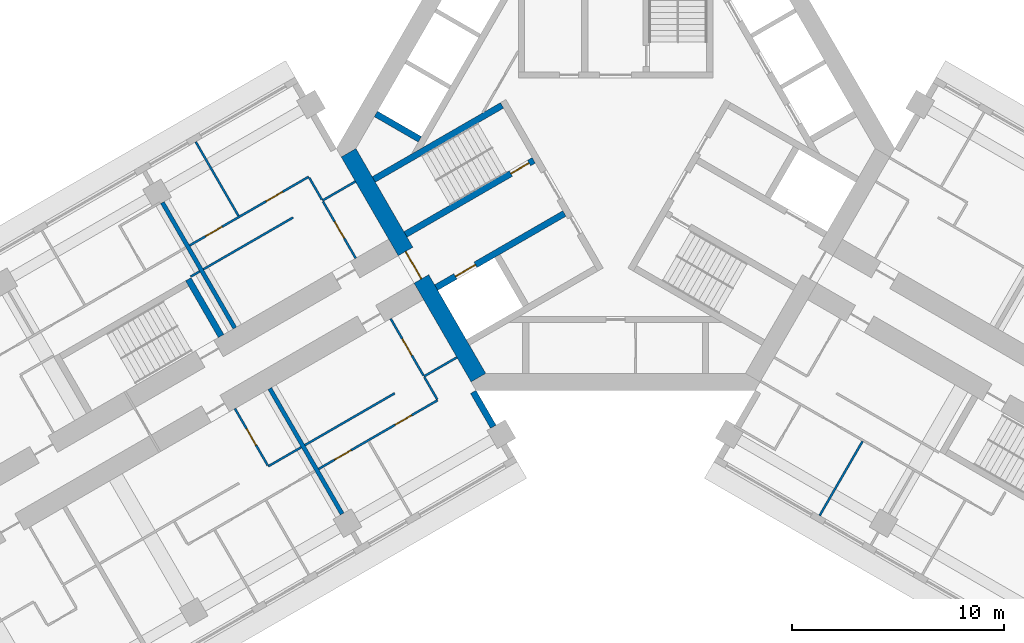
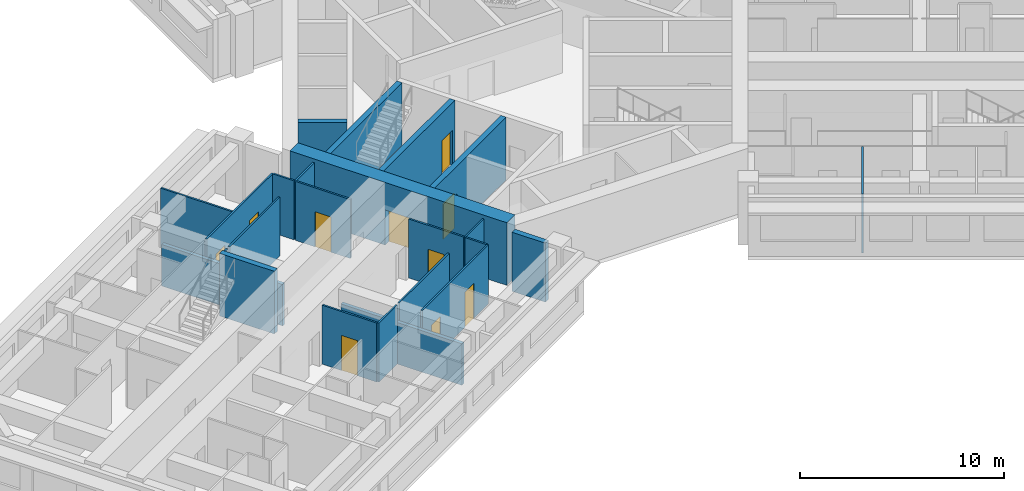
# One storey, part 4 of 14: 24 walls, 10 doors, 10 openings.
"""IFC4 building model written with IfcOpenShell, lengths in metres."""

from ifc_helpers import new_model, si_unit, direction, frame, frame_2d, origin, place, context, subcontext, project, spatial, rectangle, extrude, material, layer, layer_set, type_object, element, fill, save


model = new_model("IFC4")

# Units and contexts
model_context = context("Model", 3, precision=1e-05, world=origin(), true_north=direction((0.0, 1.0)))
body_context = subcontext(model_context, "Body", "Model", "MODEL_VIEW")
ifc_project = project(units=[si_unit("LENGTHUNIT", "METRE"), si_unit("AREAUNIT", "SQUARE_METRE"), si_unit("VOLUMEUNIT", "CUBIC_METRE"), si_unit("PLANEANGLEUNIT", "RADIAN"), si_unit("MASSUNIT", "GRAM", prefix="KILO")], contexts=[model_context])

# Site, building, storey
site_placement = place(None, origin())
site = spatial("IfcSite", under=ifc_project, at=site_placement, CompositionType="ELEMENT")
building_placement = place(site_placement, origin())
building = spatial("IfcBuilding", under=site, at=building_placement, Name="Impinga Residences", CompositionType="ELEMENT")
storey_placement = place(building_placement, frame((0.0, 0.0, 147.25)))
storey = spatial("IfcBuildingStorey", under=building, at=storey_placement, Name="L36", CompositionType="ELEMENT", Elevation=147.25)

# Walls
ifc_material_1 = material(Name="Terracotta rainscreen on blockwork", Category="masonry")
ifc_layer_1 = layer(ifc_material_1, 0.300048828125)
ifc_layer_set_1 = layer_set([ifc_layer_1], Name="EW1 external wall, terracotta rainscreen on blockwork 300")
wall_type_1 = type_object("IfcWallType", Name="EW1 external wall, terracotta rainscreen on blockwork 300", PredefinedType="SOLIDWALL", material=ifc_layer_set_1)
wall_1_placement = place(storey_placement, frame((-6.72998046875, -11.506591796875, 0.0), z_axis=(0.0, 0.0, 1.0), x_axis=(0.500063520245, -0.865988727248, 0.0)))
element("IfcWall", 1, at=wall_1_placement, inside=storey, type_object=wall_type_1, Name="External wall EW1 L36", PredefinedType="SOLIDWALL", context=body_context, shape_type="SweptSolid", body=[
    extrude(rectangle(XDim=1.900146484375, YDim=0.300048828125, at=frame_2d((0.9501953125, 0.0))), origin(), (0.0, 0.0, 1.0), 3.530029296875),
])
ifc_material_2 = material(Name="Gypsum board on steel studs", Category="steel")
ifc_layer_2 = layer(ifc_material_2, 0.10009765625)
ifc_layer_set_2 = layer_set([ifc_layer_2], Name="Gypsum board on steel studs")
wall_type_2 = type_object("IfcWallType", Name="IP1 partition 100", PredefinedType="PARTITIONING", material=ifc_layer_set_2)
wall_2_placement = place(storey_placement, frame((-7.5, -9.872802734375, 0.0), z_axis=(0.0, 0.0, 1.0), x_axis=(-0.866047807691, -0.499961193289, 0.0)))
element("IfcWall", 2, at=wall_2_placement, inside=storey, type_object=wall_type_2, Name="Partition L36-WA1:DIV0", PredefinedType="PARTITIONING", context=body_context, shape_type="SweptSolid", body=[
    extrude(rectangle(XDim=1.800048828125, YDim=0.10009765625, at=frame_2d((0.89990234375, 0.0))), origin(), (0.0, 0.0, 1.0), 3.530029296875),
])
wall_3_placement = place(storey_placement, frame((-10.444580078125, -11.57275390625, 0.0), z_axis=(0.0, 0.0, 1.0), x_axis=(-0.866023786258, -0.500002801628, 0.0)))
element("IfcWall", 3, at=wall_3_placement, inside=storey, type_object=wall_type_2, Name="Partition L36-WA1:DIV1", PredefinedType="PARTITIONING", context=body_context, shape_type="SweptSolid", body=[
    extrude(rectangle(XDim=4.89990234375, YDim=0.10009765625, at=frame_2d((2.449951171875, 0.0))), origin(), (0.0, 0.0, 1.0), 3.530029296875),
])

# Wall, openings, doors
wall_4_placement = place(storey_placement, frame((-8.408935546875, -11.8984375, 0.0), z_axis=(0.0, 0.0, 1.0), x_axis=(-0.866024837091, -0.50000098154, 0.0)))
wall_4 = element("IfcWall", 4, at=wall_4_placement, inside=storey, type_object=wall_type_2, Name="Partition L36-WA1:STRIP", PredefinedType="PARTITIONING", context=body_context, shape_type="SweptSolid", body=[
    extrude(rectangle(XDim=6.5, YDim=0.10009765625, at=frame_2d((3.25, 0.0))), origin(), (0.0, 0.0, 1.0), 3.530029296875),
])
opening_1_placement = place(wall_4_placement, frame((1.425048828125, 0.0, 0.0)))
opening_1 = element("IfcOpeningElement", 5, at=opening_1_placement, cuts=wall_4, Name="Opening D2", PredefinedType="OPENING", context=body_context, shape_type="SweptSolid", body=[
    extrude(rectangle(XDim=0.89990234375, YDim=2.10009765625, at=frame_2d((0.449951171875, 1.050048828125))), frame((0.0, 0.06005859375, 0.0), z_axis=(0.0, -1.0, 0.0), x_axis=(1.0, 0.0, 0.0)), (0.0, 0.0, 1.0), 0.1201171875),
])
opening_2_placement = place(wall_4_placement, frame((4.72509765625, 0.0, 0.0)))
opening_2 = element("IfcOpeningElement", 6, at=opening_2_placement, cuts=wall_4, Name="Opening D2", PredefinedType="OPENING", context=body_context, shape_type="SweptSolid", body=[
    extrude(rectangle(XDim=0.89990234375, YDim=2.10009765625, at=frame_2d((0.449951171875, 1.050048828125))), frame((0.0, 0.06005859375, 0.0), z_axis=(0.0, -1.0, 0.0), x_axis=(1.0, 0.0, 0.0)), (0.0, 0.0, 1.0), 0.1201171875),
])
ifc_material_3 = material(Name="Timber door set", Category="wood")
door_type_1 = type_object("IfcDoorType", Name="D2 internal door 900x2100", OperationType="SINGLE_SWING_LEFT", PredefinedType="DOOR", material=ifc_material_3)
door_1_placement = place(opening_1_placement, origin())
door_1 = element("IfcDoor", 7, at=door_1_placement, inside=storey, type_object=door_type_1, Name="Apartment L36-WA1 room door", OperationType="SINGLE_SWING_LEFT", OverallHeight=2.10009765625, OverallWidth=0.89990234375, PredefinedType="DOOR", context=body_context, shape_type="SweptSolid", body=[
    extrude(rectangle(XDim=0.89990234375, YDim=2.10009765625, at=frame_2d((0.449951171875, 1.050048828125))), frame((0.0, 0.02490234375, 0.0), z_axis=(0.0, -1.0, 0.0), x_axis=(1.0, 0.0, 0.0)), (0.0, 0.0, 1.0), 0.050048828125),
])
fill(opening_1, door_1)
door_2_placement = place(opening_2_placement, origin())
door_2 = element("IfcDoor", 8, at=door_2_placement, inside=storey, type_object=door_type_1, Name="Apartment L36-WA1 room door", OperationType="SINGLE_SWING_RIGHT", OverallHeight=2.10009765625, OverallWidth=0.89990234375, PredefinedType="DOOR", context=body_context, shape_type="SweptSolid", body=[
    extrude(rectangle(XDim=0.89990234375, YDim=2.10009765625, at=frame_2d((0.449951171875, 1.050048828125))), frame((0.0, 0.02490234375, 0.0), z_axis=(0.0, -1.0, 0.0), x_axis=(1.0, 0.0, 0.0)), (0.0, 0.0, 1.0), 0.050048828125),
])
fill(opening_2, door_2)

# Wall
wall_5_placement = place(storey_placement, frame((-9.033935546875, -10.81591796875, 0.0), z_axis=(0.0, 0.0, 1.0), x_axis=(0.500033551112, -0.866006032174, 0.0)))
element("IfcWall", 9, at=wall_5_placement, inside=storey, type_object=wall_type_2, Name="Partition L36-WA1:SE0", PredefinedType="PARTITIONING", context=body_context, shape_type="SweptSolid", body=[
    extrude(rectangle(XDim=1.2001953125, YDim=0.10009765625, at=frame_2d((0.60009765625, 0.0))), origin(), (0.0, 0.0, 1.0), 3.530029296875),
])

# Wall, opening, door
wall_6_placement = place(storey_placement, frame((-10.6337890625, -8.044677734375, 0.0), z_axis=(0.0, 0.0, 1.0), x_axis=(0.49999285859, -0.86602952684, 0.0)))
wall_6 = element("IfcWall", 10, at=wall_6_placement, inside=storey, type_object=wall_type_2, Name="Partition L36-WA1:IB1", PredefinedType="PARTITIONING", context=body_context, shape_type="SweptSolid", body=[
    extrude(rectangle(XDim=3.10009765625, YDim=0.10009765625, at=frame_2d((1.550048828125, 0.0))), origin(), (0.0, 0.0, 1.0), 3.530029296875),
])
opening_3_placement = place(wall_6_placement, frame((1.10009765625, 0.0, 0.0)))
opening_3 = element("IfcOpeningElement", 11, at=opening_3_placement, cuts=wall_6, Name="Opening D2", PredefinedType="OPENING", context=body_context, shape_type="SweptSolid", body=[
    extrude(rectangle(XDim=0.89990234375, YDim=2.10009765625, at=frame_2d((0.449951171875, 1.050048828125))), frame((0.0, 0.06005859375, 0.0), z_axis=(0.0, -1.0, 0.0), x_axis=(1.0, 0.0, 0.0)), (0.0, 0.0, 1.0), 0.1201171875),
])
door_3_placement = place(opening_3_placement, origin())
door_3 = element("IfcDoor", 12, at=door_3_placement, inside=storey, type_object=door_type_1, Name="Apartment L36-WA1 bathroom door", OperationType="SINGLE_SWING_LEFT", OverallHeight=2.10009765625, OverallWidth=0.89990234375, PredefinedType="DOOR", context=body_context, shape_type="SweptSolid", body=[
    extrude(rectangle(XDim=0.89990234375, YDim=2.10009765625, at=frame_2d((0.449951171875, 1.050048828125))), frame((0.0, 0.02490234375, 0.0), z_axis=(0.0, -1.0, 0.0), x_axis=(1.0, 0.0, 0.0)), (0.0, 0.0, 1.0), 0.050048828125),
])
fill(opening_3, door_3)

# Wall
wall_7_placement = place(storey_placement, frame((-14.861328125, -14.122802734375, 0.0), z_axis=(0.0, 0.0, 1.0), x_axis=(-0.866047807691, -0.499961193289, 0.0)))
element("IfcWall", 13, at=wall_7_placement, inside=storey, type_object=wall_type_2, Name="Partition L36-WA2:DIV0", PredefinedType="PARTITIONING", context=body_context, shape_type="SweptSolid", body=[
    extrude(rectangle(XDim=1.800048828125, YDim=0.10009765625, at=frame_2d((0.89990234375, 0.0))), origin(), (0.0, 0.0, 1.0), 3.530029296875),
])

# Wall, opening, door
wall_8_placement = place(storey_placement, frame((-17.9951171875, -12.294677734375, 0.0), z_axis=(0.0, 0.0, 1.0), x_axis=(0.49999285859, -0.86602952684, 0.0)))
wall_8 = element("IfcWall", 14, at=wall_8_placement, inside=storey, type_object=wall_type_2, Name="Partition L36-WA2:IB1", PredefinedType="PARTITIONING", context=body_context, shape_type="SweptSolid", body=[
    extrude(rectangle(XDim=3.10009765625, YDim=0.10009765625, at=frame_2d((1.550048828125, 0.0))), origin(), (0.0, 0.0, 1.0), 3.530029296875),
])
opening_4_placement = place(wall_8_placement, frame((1.10009765625, 0.0, 0.0)))
opening_4 = element("IfcOpeningElement", 15, at=opening_4_placement, cuts=wall_8, Name="Opening D2", PredefinedType="OPENING", context=body_context, shape_type="SweptSolid", body=[
    extrude(rectangle(XDim=0.89990234375, YDim=2.10009765625, at=frame_2d((0.449951171875, 1.050048828125))), frame((0.0, 0.06005859375, 0.0), z_axis=(0.0, -1.0, 0.0), x_axis=(1.0, 0.0, 0.0)), (0.0, 0.0, 1.0), 0.1201171875),
])
door_4_placement = place(opening_4_placement, origin())
door_4 = element("IfcDoor", 16, at=door_4_placement, inside=storey, type_object=door_type_1, Name="Apartment L36-WA2 bathroom door", OperationType="SINGLE_SWING_LEFT", OverallHeight=2.10009765625, OverallWidth=0.89990234375, PredefinedType="DOOR", context=body_context, shape_type="SweptSolid", body=[
    extrude(rectangle(XDim=0.89990234375, YDim=2.10009765625, at=frame_2d((0.449951171875, 1.050048828125))), frame((0.0, 0.02490234375, 0.0), z_axis=(0.0, -1.0, 0.0), x_axis=(1.0, 0.0, 0.0)), (0.0, 0.0, 1.0), 0.050048828125),
])
fill(opening_4, door_4)

# Walls
wall_9_placement = place(storey_placement, frame((-12.300048828125, -1.558837890625, 0.0), z_axis=(0.0, 0.0, 1.0), x_axis=(-0.866047807691, -0.499961193289, 0.0)))
element("IfcWall", 17, at=wall_9_placement, inside=storey, type_object=wall_type_2, Name="Partition L36-WF1:DIV0", PredefinedType="PARTITIONING", context=body_context, shape_type="SweptSolid", body=[
    extrude(rectangle(XDim=1.800048828125, YDim=0.10009765625, at=frame_2d((0.89990234375, 0.0))), origin(), (0.0, 0.0, 1.0), 3.530029296875),
])
wall_10_placement = place(storey_placement, frame((-15.244384765625, -3.2587890625, 0.0), z_axis=(0.0, 0.0, 1.0), x_axis=(-0.866036242063, -0.49998122708, 0.0)))
element("IfcWall", 18, at=wall_10_placement, inside=storey, type_object=wall_type_2, Name="Partition L36-WF1:DIV1", PredefinedType="PARTITIONING", context=body_context, shape_type="SweptSolid", body=[
    extrude(rectangle(XDim=4.900146484375, YDim=0.10009765625, at=frame_2d((2.4501953125, 0.0))), origin(), (0.0, 0.0, 1.0), 3.530029296875),
])

# Wall, openings, doors
wall_11_placement = place(storey_placement, frame((-14.5087890625, -1.3330078125, 0.0), z_axis=(0.0, 0.0, 1.0), x_axis=(-0.866024837091, -0.50000098154, 0.0)))
wall_11 = element("IfcWall", 19, at=wall_11_placement, inside=storey, type_object=wall_type_2, Name="Partition L36-WF1:STRIP", PredefinedType="PARTITIONING", context=body_context, shape_type="SweptSolid", body=[
    extrude(rectangle(XDim=6.5, YDim=0.10009765625, at=frame_2d((3.25, 0.0))), origin(), (0.0, 0.0, 1.0), 3.530029296875),
])
opening_5_placement = place(wall_11_placement, frame((1.425048828125, 0.0, 0.0)))
opening_5 = element("IfcOpeningElement", 20, at=opening_5_placement, cuts=wall_11, Name="Opening D2", PredefinedType="OPENING", context=body_context, shape_type="SweptSolid", body=[
    extrude(rectangle(XDim=0.89990234375, YDim=2.10009765625, at=frame_2d((0.449951171875, 1.050048828125))), frame((0.0, 0.06005859375, 0.0), z_axis=(0.0, -1.0, 0.0), x_axis=(1.0, 0.0, 0.0)), (0.0, 0.0, 1.0), 0.1201171875),
])
opening_6_placement = place(wall_11_placement, frame((4.72509765625, 0.0, 0.0)))
opening_6 = element("IfcOpeningElement", 21, at=opening_6_placement, cuts=wall_11, Name="Opening D2", PredefinedType="OPENING", context=body_context, shape_type="SweptSolid", body=[
    extrude(rectangle(XDim=0.89990234375, YDim=2.10009765625, at=frame_2d((0.449951171875, 1.050048828125))), frame((0.0, 0.06005859375, 0.0), z_axis=(0.0, -1.0, 0.0), x_axis=(1.0, 0.0, 0.0)), (0.0, 0.0, 1.0), 0.1201171875),
])
door_5_placement = place(opening_5_placement, origin())
door_5 = element("IfcDoor", 22, at=door_5_placement, inside=storey, type_object=door_type_1, Name="Apartment L36-WF1 room door", OperationType="SINGLE_SWING_LEFT", OverallHeight=2.10009765625, OverallWidth=0.89990234375, PredefinedType="DOOR", context=body_context, shape_type="SweptSolid", body=[
    extrude(rectangle(XDim=0.89990234375, YDim=2.10009765625, at=frame_2d((0.449951171875, 1.050048828125))), frame((0.0, 0.02490234375, 0.0), z_axis=(0.0, -1.0, 0.0), x_axis=(1.0, 0.0, 0.0)), (0.0, 0.0, 1.0), 0.050048828125),
])
fill(opening_5, door_5)
door_6_placement = place(opening_6_placement, origin())
door_6 = element("IfcDoor", 23, at=door_6_placement, inside=storey, type_object=door_type_1, Name="Apartment L36-WF1 room door", OperationType="SINGLE_SWING_RIGHT", OverallHeight=2.10009765625, OverallWidth=0.89990234375, PredefinedType="DOOR", context=body_context, shape_type="SweptSolid", body=[
    extrude(rectangle(XDim=0.89990234375, YDim=2.10009765625, at=frame_2d((0.449951171875, 1.050048828125))), frame((0.0, 0.02490234375, 0.0), z_axis=(0.0, -1.0, 0.0), x_axis=(1.0, 0.0, 0.0)), (0.0, 0.0, 1.0), 0.050048828125),
])
fill(opening_6, door_6)

# Wall
wall_12_placement = place(storey_placement, frame((-13.8837890625, -2.41552734375, 0.0), z_axis=(0.0, 0.0, 1.0), x_axis=(-0.500033551112, 0.866006032174, 0.0)))
element("IfcWall", 24, at=wall_12_placement, inside=storey, type_object=wall_type_2, Name="Partition L36-WF1:SE0", PredefinedType="PARTITIONING", context=body_context, shape_type="SweptSolid", body=[
    extrude(rectangle(XDim=1.2001953125, YDim=0.10009765625, at=frame_2d((0.60009765625, 0.0))), origin(), (0.0, 0.0, 1.0), 3.530029296875),
])

# Wall, opening, door
wall_13_placement = place(storey_placement, frame((-12.283935546875, -5.186767578125, 0.0), z_axis=(0.0, 0.0, 1.0), x_axis=(-0.499967891604, 0.866043940782, 0.0)))
wall_13 = element("IfcWall", 25, at=wall_13_placement, inside=storey, type_object=wall_type_2, Name="Partition L36-WF1:IB1", PredefinedType="PARTITIONING", context=body_context, shape_type="SweptSolid", body=[
    extrude(rectangle(XDim=3.099853515625, YDim=0.10009765625, at=frame_2d((1.5498046875, 0.0))), origin(), (0.0, 0.0, 1.0), 3.530029296875),
])
opening_7_placement = place(wall_13_placement, frame((1.10009765625, 0.0, 0.0)))
opening_7 = element("IfcOpeningElement", 26, at=opening_7_placement, cuts=wall_13, Name="Opening D2", PredefinedType="OPENING", context=body_context, shape_type="SweptSolid", body=[
    extrude(rectangle(XDim=0.89990234375, YDim=2.10009765625, at=frame_2d((0.449951171875, 1.050048828125))), frame((0.0, 0.06005859375, 0.0), z_axis=(0.0, -1.0, 0.0), x_axis=(1.0, 0.0, 0.0)), (0.0, 0.0, 1.0), 0.1201171875),
])
door_7_placement = place(opening_7_placement, origin())
door_7 = element("IfcDoor", 27, at=door_7_placement, inside=storey, type_object=door_type_1, Name="Apartment L36-WF1 bathroom door", OperationType="SINGLE_SWING_LEFT", OverallHeight=2.10009765625, OverallWidth=0.89990234375, PredefinedType="DOOR", context=body_context, shape_type="SweptSolid", body=[
    extrude(rectangle(XDim=0.89990234375, YDim=2.10009765625, at=frame_2d((0.449951171875, 1.050048828125))), frame((0.0, 0.02490234375, 0.0), z_axis=(0.0, -1.0, 0.0), x_axis=(1.0, 0.0, 0.0)), (0.0, 0.0, 1.0), 0.050048828125),
])
fill(opening_7, door_7)

# Walls
wall_14_placement = place(storey_placement, frame((-17.82470703125, -3.189697265625, 0.0), z_axis=(0.0, 0.0, 1.0), x_axis=(-0.500035537042, 0.866004885491, 0.0)))
element("IfcWall", 28, at=wall_14_placement, inside=storey, type_object=wall_type_2, Name="Partition L36-WF1:OB1", PredefinedType="PARTITIONING", context=body_context, shape_type="SweptSolid", body=[
    extrude(rectangle(XDim=4.050048828125, YDim=0.10009765625, at=frame_2d((2.02490234375, 0.0))), origin(), (0.0, 0.0, 1.0), 3.530029296875),
])
wall_15_placement = place(storey_placement, frame((-19.6611328125, -5.808837890625, 0.0), z_axis=(0.0, 0.0, 1.0), x_axis=(-0.866071776036, -0.499919672301, 0.0)))
element("IfcWall", 29, at=wall_15_placement, inside=storey, type_object=wall_type_2, Name="Partition L36-WF2:DIV0", PredefinedType="PARTITIONING", context=body_context, shape_type="SweptSolid", body=[
    extrude(rectangle(XDim=0.5, YDim=0.10009765625, at=frame_2d((0.25, 0.0))), origin(), (0.0, 0.0, 1.0), 3.530029296875),
])
wall_16_placement = place(storey_placement, frame((11.6748046875, -13.841796875, 0.0), z_axis=(0.0, 0.0, 1.0), x_axis=(-0.500035537042, -0.866004885491, 0.0)))
element("IfcWall", 30, at=wall_16_placement, inside=storey, type_object=wall_type_2, Name="Partition L36-EF1:OB1", PredefinedType="PARTITIONING", context=body_context, shape_type="SweptSolid", body=[
    extrude(rectangle(XDim=4.050048828125, YDim=0.10009765625, at=frame_2d((2.02490234375, 0.0))), origin(), (0.0, 0.0, 1.0), 3.530029296875),
])
ifc_material_4 = material(Name="Concrete blockwork", Category="masonry")
ifc_layer_3 = layer(ifc_material_4, 0.199951171875)
ifc_layer_set_3 = layer_set([ifc_layer_3], Name="PW1 party wall between apartments 200")
wall_type_3 = type_object("IfcWallType", Name="PW1 party wall between apartments 200", PredefinedType="SOLIDWALL", material=ifc_layer_set_3)
for number, where, z_axis, x_axis, name in (
    (31, (-16.349609375, -11.3447265625, 0.0), (0.0, 0.0, 1.0), (0.499999086063, -0.866025931445, 0.0), "Party wall between apartments L36-WA1:PARTY"),
    (32, (-17.99951171875, -8.48681640625, 0.0), (0.0, 0.0, 1.0), (-0.499999086063, 0.866025931445, 0.0), "Party wall between apartments L36-WF1:PARTY"),
):
    element("IfcWall", number, at=place(storey_placement, frame(where, z_axis=z_axis, x_axis=x_axis)), inside=storey, type_object=wall_type_3, Name=name, PredefinedType="SOLIDWALL", context=body_context, shape_type="SweptSolid", body=[
        extrude(rectangle(XDim=6.85009765625, YDim=0.199951171875, at=frame_2d((3.425048828125, 0.0))), origin(), (0.0, 0.0, 1.0), 2.47998046875),
    ])
ifc_material_5 = material(Name="Concrete C60/75", Category="concrete")
ifc_layer_4 = layer(ifc_material_5, 0.300048828125)
ifc_layer_set_4 = layer_set([ifc_layer_4], Name="Concrete C60/75")
wall_type_4 = type_object("IfcWallType", Name="SE1 wing stair enclosure wall 300", PredefinedType="SOLIDWALL", material=ifc_layer_set_4)
wall_17_placement = place(storey_placement, frame((-18.649169921875, -8.86181640625, 0.0), z_axis=(0.0, 0.0, 1.0), x_axis=(-0.500026960575, 0.86600983753, 0.0)))
element("IfcWall", 33, at=wall_17_placement, inside=storey, type_object=wall_type_4, Name="Stair enclosure wall SE1 W END0 L36", PredefinedType="SOLIDWALL", context=body_context, shape_type="SweptSolid", body=[
    extrude(rectangle(XDim=3.099853515625, YDim=0.300048828125, at=frame_2d((1.5498046875, 0.0))), origin(), (0.0, 0.0, 1.0), 3.75),
])

# Wall, opening, door
ifc_layer_5 = layer(ifc_material_5, 0.800048828125)
ifc_layer_set_5 = layer_set([ifc_layer_5], Name="Concrete C60/75")
wall_type_5 = type_object("IfcWallType", Name="SW2 core wall 800", PredefinedType="SHEAR", material=ifc_layer_set_5)
wall_18_placement = place(storey_placement, frame((-6.484619140625, -10.83154296875, 0.0), z_axis=(0.0, 0.0, 1.0), x_axis=(-0.499986991068, 0.866032914365, 0.0)))
wall_18 = element("IfcWall", 34, at=wall_18_placement, inside=storey, type_object=wall_type_5, Name="Core wall SW2 W:FACE L36", PredefinedType="SHEAR", context=body_context, shape_type="SweptSolid", body=[
    extrude(rectangle(XDim=12.276123046875, YDim=0.800048828125, at=frame_2d((6.13818359375, 0.0))), origin(), (0.0, 0.0, 1.0), 3.75),
])
opening_8_placement = place(wall_18_placement, frame((5.38818359375, 0.0, 0.0)))
opening_8 = element("IfcOpeningElement", 35, at=opening_8_placement, cuts=wall_18, Name="Opening D4", PredefinedType="OPENING", context=body_context, shape_type="SweptSolid", body=[
    extrude(rectangle(XDim=1.5, YDim=2.10009765625, at=frame_2d((0.75, 1.050048828125))), frame((0.0, 0.409912109375, 0.0), z_axis=(0.0, -1.0, 0.0), x_axis=(1.0, 0.0, 0.0)), (0.0, 0.0, 1.0), 0.820068359375),
])
door_type_2 = type_object("IfcDoorType", Name="D4 lobby door pair 1500x2100", OperationType="DOUBLE_DOOR_DOUBLE_SWING", PredefinedType="DOOR", material=ifc_material_3)
door_8_placement = place(opening_8_placement, origin())
door_8 = element("IfcDoor", 36, at=door_8_placement, inside=storey, type_object=door_type_2, Name="Lobby door W", OperationType="DOUBLE_DOOR_DOUBLE_SWING", OverallHeight=2.10009765625, OverallWidth=1.5, PredefinedType="DOOR", context=body_context, shape_type="SweptSolid", body=[
    extrude(rectangle(XDim=1.5, YDim=2.10009765625, at=frame_2d((0.75, 1.050048828125))), frame((0.0, 0.02490234375, 0.0), z_axis=(0.0, -1.0, 0.0), x_axis=(1.0, 0.0, 0.0)), (0.0, 0.0, 1.0), 0.050048828125),
])
fill(opening_8, door_8)

ifc_material_6 = material(Name="Concrete C70/85", Category="concrete")
ifc_layer_6 = layer(ifc_material_6, 0.300048828125)
ifc_layer_set_6 = layer_set([ifc_layer_6], Name="Concrete C70/85")
wall_type_6 = type_object("IfcWallType", Name="SW5 core inner wall, stairs, shafts and lobbies 300", PredefinedType="SHEAR", material=ifc_layer_set_6)
wall_19_placement = place(storey_placement, frame((-3.86865234375, -0.559326171875, 0.0), z_axis=(0.0, 0.0, 1.0), x_axis=(-0.866026480128, -0.499998135713, 0.0)))
wall_19 = element("IfcWall", 37, at=wall_19_placement, inside=storey, type_object=wall_type_6, Name="Core wall SW5 W:ST-IN L36", PredefinedType="SHEAR", context=body_context, shape_type="SweptSolid", body=[
    extrude(rectangle(XDim=7.00146484375, YDim=0.300048828125, at=frame_2d((3.500732421875, 0.0))), origin(), (0.0, 0.0, 1.0), 3.75),
])
opening_9_placement = place(wall_19_placement, frame((0.25, 0.0, 0.0)))
opening_9 = element("IfcOpeningElement", 38, at=opening_9_placement, cuts=wall_19, Name="Opening D5", PredefinedType="OPENING", context=body_context, shape_type="SweptSolid", body=[
    extrude(rectangle(XDim=1.0, YDim=2.10009765625, at=frame_2d((0.5, 1.050048828125))), frame((0.0, 0.159912109375, 0.0), z_axis=(0.0, -1.0, 0.0), x_axis=(1.0, 0.0, 0.0)), (0.0, 0.0, 1.0), 0.320068359375),
])
door_type_3 = type_object("IfcDoorType", Name="D5 stair door 1000x2100", OperationType="SINGLE_SWING_LEFT", PredefinedType="DOOR", material=ifc_material_3)
door_9_placement = place(opening_9_placement, origin())
door_9 = element("IfcDoor", 39, at=door_9_placement, inside=storey, type_object=door_type_3, Name="Stair door W", OperationType="SINGLE_SWING_LEFT", OverallHeight=2.10009765625, OverallWidth=1.0, PredefinedType="DOOR", context=body_context, shape_type="SweptSolid", body=[
    extrude(rectangle(XDim=1.0, YDim=2.10009765625, at=frame_2d((0.5, 1.050048828125))), frame((0.0, 0.02490234375, 0.0), z_axis=(0.0, -1.0, 0.0), x_axis=(1.0, 0.0, 0.0)), (0.0, 0.0, 1.0), 0.050048828125),
])
fill(opening_9, door_9)

# Wall
wall_20_placement = place(storey_placement, frame((-5.36865234375, 2.038818359375, 0.0), z_axis=(0.0, 0.0, 1.0), x_axis=(-0.866026480128, -0.499998135713, 0.0)))
element("IfcWall", 40, at=wall_20_placement, inside=storey, type_object=wall_type_6, Name="Core wall SW5 W:ST-OUT L36", PredefinedType="SHEAR", context=body_context, shape_type="SweptSolid", body=[
    extrude(rectangle(XDim=7.00146484375, YDim=0.300048828125, at=frame_2d((3.500732421875, 0.0))), origin(), (0.0, 0.0, 1.0), 3.75),
])

# Wall, opening, door
wall_21_placement = place(storey_placement, frame((-2.418701171875, -3.07080078125, 0.0), z_axis=(0.0, 0.0, 1.0), x_axis=(-0.866026480128, -0.499998135713, 0.0)))
wall_21 = element("IfcWall", 41, at=wall_21_placement, inside=storey, type_object=wall_type_6, Name="Core wall SW5 W:FF-IN L36", PredefinedType="SHEAR", context=body_context, shape_type="SweptSolid", body=[
    extrude(rectangle(XDim=7.00146484375, YDim=0.300048828125, at=frame_2d((3.500732421875, 0.0))), origin(), (0.0, 0.0, 1.0), 3.75),
])
opening_10_placement = place(wall_21_placement, frame((4.85009765625, 0.0, 0.0)))
opening_10 = element("IfcOpeningElement", 42, at=opening_10_placement, cuts=wall_21, Name="Opening LD2", PredefinedType="OPENING", context=body_context, shape_type="SweptSolid", body=[
    extrude(rectangle(XDim=1.10009765625, YDim=2.10009765625, at=frame_2d((0.550048828125, 1.050048828125))), frame((0.0, 0.159912109375, 0.0), z_axis=(0.0, -1.0, 0.0), x_axis=(1.0, 0.0, 0.0)), (0.0, 0.0, 1.0), 0.320068359375),
])
ifc_material_7 = material(Name="Steel lift landing door", Category="steel")
door_type_4 = type_object("IfcDoorType", Name="LD2 firefighting lift landing door 1100x2100", OperationType="DOUBLE_DOOR_SLIDING", PredefinedType="DOOR", material=ifc_material_7)
door_10_placement = place(opening_10_placement, origin())
door_10 = element("IfcDoor", 43, at=door_10_placement, inside=storey, type_object=door_type_4, Name="Firefighting lift landing door F2", OperationType="DOUBLE_DOOR_SLIDING", OverallHeight=2.10009765625, OverallWidth=1.10009765625, PredefinedType="DOOR", context=body_context, shape_type="SweptSolid", body=[
    extrude(rectangle(XDim=1.10009765625, YDim=2.10009765625, at=frame_2d((0.550048828125, 1.050048828125))), frame((0.0, 0.02490234375, 0.0), z_axis=(0.0, -1.0, 0.0), x_axis=(1.0, 0.0, 0.0)), (0.0, 0.0, 1.0), 0.050048828125),
])
fill(opening_10, door_10)

# Wall
wall_22_placement = place(storey_placement, frame((-9.253662109375, 0.43505859375, 0.0), z_axis=(0.0, 0.0, 1.0), x_axis=(-0.866006032174, 0.500033551112, 0.0)))
element("IfcWall", 44, at=wall_22_placement, inside=storey, type_object=wall_type_6, Name="Core wall SW5 E:BANK-L L36", PredefinedType="SHEAR", context=body_context, shape_type="SweptSolid", body=[
    extrude(rectangle(XDim=2.400146484375, YDim=0.300048828125, at=frame_2d((1.2001953125, 0.0))), origin(), (0.0, 0.0, 1.0), 3.75),
])

save(model, "model.ifc")
